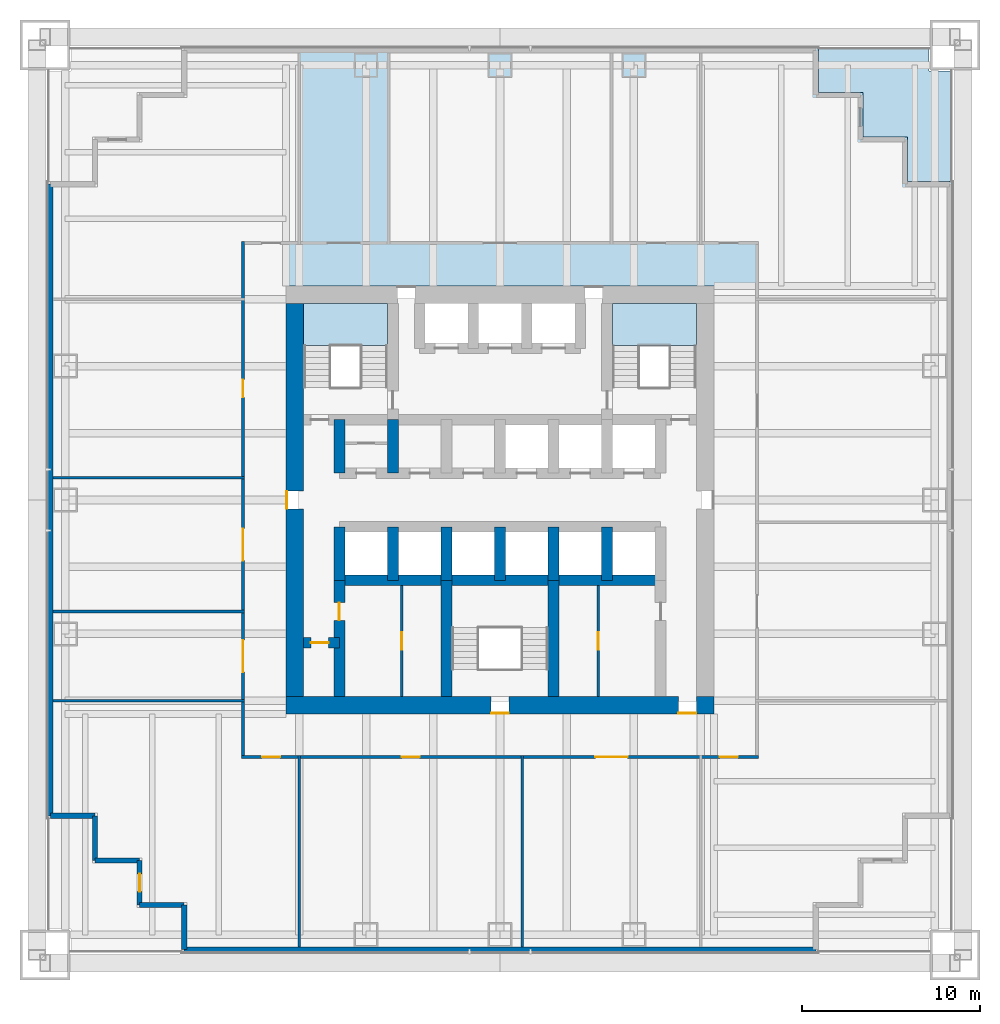
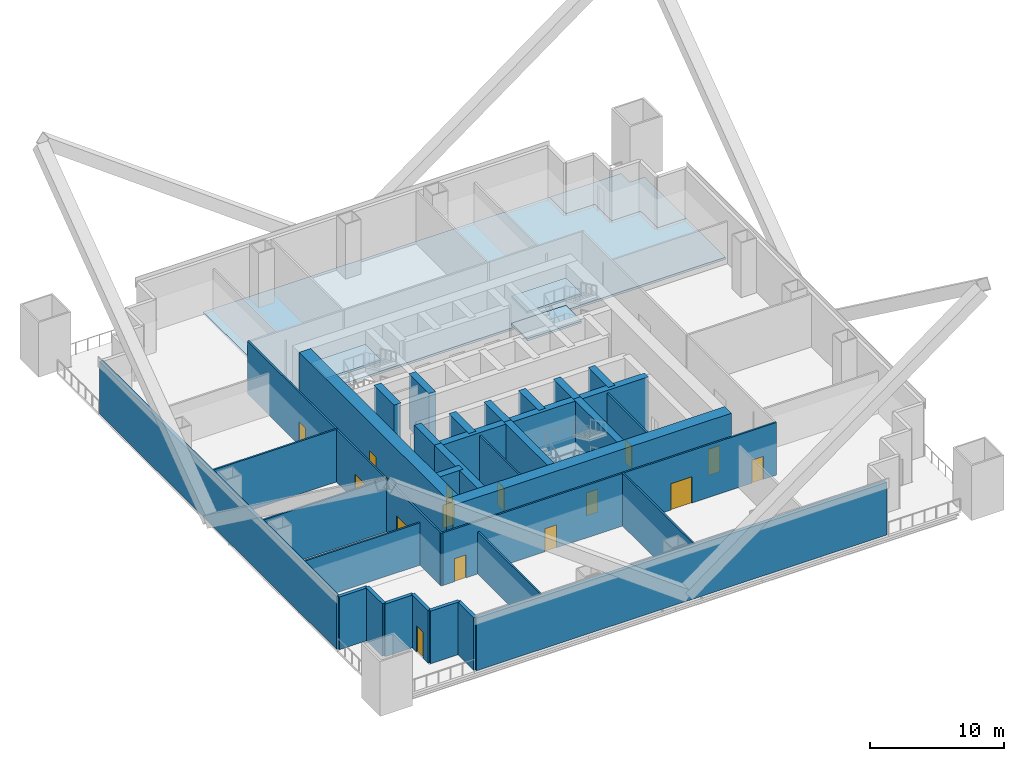
# One storey, part 2 of 7: 32 walls, 15 doors, 5 slabs, 15 openings, 2 elements without a shape of their own.
"""IFC4 building model written with IfcOpenShell, lengths in metres."""

from ifc_helpers import new_model, si_unit, direction, frame, frame_2d, origin, place, context, subcontext, project, spatial, polyline, rectangle, outline, extrude, material, layer, layer_set, type_object, element, fill, aggregate, save


model = new_model("IFC4")

# Units and contexts
model_context = context("Model", 3, precision=1e-05, world=origin(), true_north=direction((0.0, 1.0)))
body_context = subcontext(model_context, "Body", "Model", "MODEL_VIEW")
ifc_project = project(units=[si_unit("LENGTHUNIT", "METRE"), si_unit("AREAUNIT", "SQUARE_METRE"), si_unit("VOLUMEUNIT", "CUBIC_METRE"), si_unit("PLANEANGLEUNIT", "RADIAN"), si_unit("MASSUNIT", "GRAM", prefix="KILO")], contexts=[model_context])

# Site, building, storey
site_placement = place(None, origin())
site = spatial("IfcSite", under=ifc_project, at=site_placement, CompositionType="ELEMENT")
building_placement = place(site_placement, origin())
building = spatial("IfcBuilding", under=site, at=building_placement, Name="Tarangal Relay Tower", CompositionType="ELEMENT")
storey_placement = place(building_placement, frame((0.0, 0.0, 78.39990234375)))
storey = spatial("IfcBuildingStorey", under=building, at=storey_placement, Name="L15", CompositionType="ELEMENT", Elevation=78.39990234375)

# Slab
ifc_material_1 = material(Name="Concrete fc' 35 MPa", Category="concrete")
ifc_layer_1 = layer(ifc_material_1, 0.199951171875)
ifc_layer_set_1 = layer_set([ifc_layer_1], Name="Floor slab 200")
slab_type_1 = type_object("IfcSlabType", Name="Floor slab 200", PredefinedType="FLOOR", material=ifc_layer_set_1)
slab_1_placement = place(storey_placement, frame((0.0, 0.0, -0.199951171875)))
element("IfcSlab", 1, at=slab_1_placement, inside=storey, type_object=slab_type_1, Name="Floor slab FS2 L15 north bay", PredefinedType="FLOOR", context=body_context, shape_type="SweptSolid", body=[
    extrude(outline(polyline([(17.85009765625, 25.35009765625), (17.85009765625, 22.85009765625), (20.35009765625, 22.85009765625), (20.35009765625, 20.35009765625), (22.85009765625, 20.35009765625), (22.85009765625, 17.85009765625), (25.35009765625, 17.85009765625), (25.35009765625, 12.0), (-12.0, 12.0), (-12.0, 25.35009765625), (17.85009765625, 25.35009765625)])), origin(), (0.0, 0.0, 1.0), 0.199951171875),
])

# Stair, slab
ifc_material_2 = material(Name="Steel ASTM A992 stair flight", Category="steel")
stair_type = type_object("IfcStairType", Name="Core stair 1500", PredefinedType="HALF_TURN_STAIR", material=ifc_material_2)
stair_1_placement = place(storey_placement, origin())
stair_1 = element("IfcStair", 2, at=stair_1_placement, inside=storey, type_object=stair_type, Name="Stair ST-A L15", PredefinedType="HALF_TURN_STAIR")
ifc_layer_2 = layer(ifc_material_1, 0.199951171875)
ifc_layer_set_2 = layer_set([ifc_layer_2], Name="Stair landing 200")
slab_type_2 = type_object("IfcSlabType", Name="Stair landing 200", PredefinedType="LANDING", material=ifc_layer_set_2)
slab_2_placement = place(storey_placement, frame((0.0, 0.0, 3.550048828125)))
slab_2 = element("IfcSlab", 3, at=slab_2_placement, type_object=slab_type_2, Name="ST-A landing 4", PredefinedType="LANDING", context=body_context, shape_type="SweptSolid", body=[
    extrude(outline(polyline([(-11.0, 8.64501953125), (-6.300048828125, 8.64501953125), (-6.300048828125, 11.0), (-11.0, 11.0), (-11.0, 8.64501953125)])), origin(), (0.0, 0.0, 1.0), 0.199951171875),
])
aggregate(stair_1, [slab_2])

# Stair, slabs
stair_2_placement = place(storey_placement, origin())
stair_2 = element("IfcStair", 4, at=stair_2_placement, inside=storey, type_object=stair_type, Name="Stair ST-B L15", PredefinedType="HALF_TURN_STAIR")
slab_3_placement = place(storey_placement, frame((0.0, 0.0, 1.050048828125)))
slab_3 = element("IfcSlab", 5, at=slab_3_placement, type_object=slab_type_2, Name="ST-B landing 2", PredefinedType="LANDING", context=body_context, shape_type="SweptSolid", body=[
    extrude(outline(polyline([(6.300048828125, 8.64501953125), (11.0, 8.64501953125), (11.0, 11.0), (6.300048828125, 11.0), (6.300048828125, 8.64501953125)])), origin(), (0.0, 0.0, 1.0), 0.199951171875),
])
slab_4_placement = place(storey_placement, frame((0.0, 0.0, 3.550048828125)))
slab_4 = element("IfcSlab", 6, at=slab_4_placement, type_object=slab_type_2, Name="ST-B landing 4", PredefinedType="LANDING", context=body_context, shape_type="SweptSolid", body=[
    extrude(outline(polyline([(6.300048828125, 8.64501953125), (11.0, 8.64501953125), (11.0, 11.0), (6.300048828125, 11.0), (6.300048828125, 8.64501953125)])), origin(), (0.0, 0.0, 1.0), 0.199951171875),
])
aggregate(stair_2, [slab_3, slab_4])

# Slab
ifc_layer_3 = layer(ifc_material_1, 0.199951171875)
ifc_layer_set_3 = layer_set([ifc_layer_3], Name="Terrace slab 200")
slab_type_3 = type_object("IfcSlabType", Name="Terrace slab 200", PredefinedType="FLOOR", material=ifc_layer_set_3)
slab_5_placement = place(storey_placement, frame((0.0, 0.0, -0.199951171875)))
element("IfcSlab", 7, at=slab_5_placement, inside=storey, type_object=slab_type_3, Name="Corner terrace NE L15", PredefinedType="FLOOR", context=body_context, shape_type="SweptSolid", body=[
    extrude(outline(polyline([(17.85009765625, 25.35009765625), (17.85009765625, 22.85009765625), (20.35009765625, 22.85009765625), (20.35009765625, 20.35009765625), (22.85009765625, 20.35009765625), (22.85009765625, 17.85009765625), (25.35009765625, 17.85009765625), (25.35009765625, 24.050048828125), (24.050048828125, 24.050048828125), (24.050048828125, 25.35009765625), (17.85009765625, 25.35009765625)])), origin(), (0.0, 0.0, 1.0), 0.199951171875),
])

# Wall
ifc_material_3 = material(Name="Concrete fc' 60 MPa", Category="concrete")
ifc_layer_4 = layer(ifc_material_3, 0.60009765625)
ifc_layer_set_4 = layer_set([ifc_layer_4], Name="Core inner wall 600")
wall_type_1 = type_object("IfcWallType", Name="Core inner wall 600", PredefinedType="SHEAR", material=ifc_layer_set_4)
wall_1_placement = place(storey_placement, frame((-9.0, -4.5, 0.0), z_axis=(0.0, 0.0, 1.0), x_axis=(1.0, 0.0, 0.0)))
element("IfcWall", 8, at=wall_1_placement, inside=storey, type_object=wall_type_1, Name="Core wall YM45 L15", PredefinedType="SHEAR", context=body_context, shape_type="SweptSolid", body=[
    extrude(rectangle(XDim=18.0, YDim=0.60009765625, at=frame_2d((9.0, 0.0))), origin(), (0.0, 0.0, 1.0), 5.0),
])

# Wall, opening, door
wall_2_placement = place(storey_placement, frame((-11.0, -8.0, 0.0), z_axis=(0.0, 0.0, 1.0), x_axis=(1.0, 0.0, 0.0)))
wall_2 = element("IfcWall", 9, at=wall_2_placement, inside=storey, type_object=wall_type_1, Name="Core wall YM8 L15", PredefinedType="SHEAR", context=body_context, shape_type="SweptSolid", body=[
    extrude(rectangle(XDim=2.0, YDim=0.60009765625, at=frame_2d((1.0, 0.0))), origin(), (0.0, 0.0, 1.0), 5.0),
])
opening_1_placement = place(wall_2_placement, frame((0.39990234375, 0.0, 0.0)))
opening_1 = element("IfcOpeningElement", 10, at=opening_1_placement, cuts=wall_2, Name="Opening D1", PredefinedType="OPENING", context=body_context, shape_type="SweptSolid", body=[
    extrude(rectangle(XDim=1.0, YDim=2.10009765625, at=frame_2d((0.5, 1.050048828125))), frame((0.0, 0.31005859375, 0.0), z_axis=(0.0, -1.0, 0.0), x_axis=(1.0, 0.0, 0.0)), (0.0, 0.0, 1.0), 0.6201171875),
])
ifc_material_4 = material(Name="Hardwood door", Category="wood")
door_type_1 = type_object("IfcDoorType", Name="WC door 1000 x 2100", OperationType="SINGLE_SWING_LEFT", PredefinedType="DOOR", material=ifc_material_4)
door_1_placement = place(opening_1_placement, origin())
door_1 = element("IfcDoor", 11, at=door_1_placement, inside=storey, type_object=door_type_1, Name="Accessible WC door L15", OperationType="SINGLE_SWING_LEFT", OverallHeight=2.10009765625, OverallWidth=1.0, PredefinedType="DOOR", context=body_context, shape_type="SweptSolid", body=[
    extrude(rectangle(XDim=1.0, YDim=2.10009765625, at=frame_2d((0.5, 1.050048828125))), frame((0.0, 0.02490234375, 0.0), z_axis=(0.0, -1.0, 0.0), x_axis=(1.0, 0.0, 0.0)), (0.0, 0.0, 1.0), 0.050048828125),
])
fill(opening_1, door_1)

# Walls
for number, where, z_axis, x_axis, name in (
    (12, (-9.0, 1.5, 0.0), (0.0, 0.0, 1.0), (0.0, 1.0, 0.0), "Core wall XM9N L15"),
    (13, (-9.0, -4.5, 0.0), (0.0, 0.0, 1.0), (0.0, 1.0, 0.0), "Core wall XM9S L15"),
    (14, (-6.0, 1.5, 0.0), (0.0, 0.0, 1.0), (0.0, 1.0, 0.0), "Core wall XM6N L15"),
    (15, (-6.0, -4.5, 0.0), (0.0, 0.0, 1.0), (0.0, 1.0, 0.0), "Core wall XM6S L15"),
    (16, (-3.0, -4.5, 0.0), (0.0, 0.0, 1.0), (0.0, 1.0, 0.0), "Core wall XM3S L15"),
    (17, (0.0, -4.5, 0.0), (0.0, 0.0, 1.0), (0.0, 1.0, 0.0), "Core wall X0S L15"),
    (18, (3.0, -4.5, 0.0), (0.0, 0.0, 1.0), (0.0, 1.0, 0.0), "Core wall X3S L15"),
    (19, (6.0, -4.5, 0.0), (0.0, 0.0, 1.0), (0.0, 1.0, 0.0), "Core wall X6S L15"),
):
    element("IfcWall", number, at=place(storey_placement, frame(where, z_axis=z_axis, x_axis=x_axis)), inside=storey, type_object=wall_type_1, Name=name, PredefinedType="SHEAR", context=body_context, shape_type="SweptSolid", body=[
        extrude(rectangle(XDim=3.0, YDim=0.60009765625, at=frame_2d((1.5, 0.0))), origin(), (0.0, 0.0, 1.0), 5.0),
    ])

# Wall, opening, door
wall_3_placement = place(storey_placement, frame((-9.0, -11.0, 0.0), z_axis=(0.0, 0.0, 1.0), x_axis=(0.0, 1.0, 0.0)))
wall_3 = element("IfcWall", 20, at=wall_3_placement, inside=storey, type_object=wall_type_1, Name="Core wall XM9W L15", PredefinedType="SHEAR", context=body_context, shape_type="SweptSolid", body=[
    extrude(rectangle(XDim=6.5, YDim=0.60009765625, at=frame_2d((3.25, 0.0))), origin(), (0.0, 0.0, 1.0), 5.0),
])
opening_2_placement = place(wall_3_placement, frame((4.25, 0.0, 0.0)))
opening_2 = element("IfcOpeningElement", 21, at=opening_2_placement, cuts=wall_3, Name="Opening D1", PredefinedType="OPENING", context=body_context, shape_type="SweptSolid", body=[
    extrude(rectangle(XDim=1.0, YDim=2.10009765625, at=frame_2d((0.5, 1.050048828125))), frame((0.0, 0.31005859375, 0.0), z_axis=(0.0, -1.0, 0.0), x_axis=(1.0, 0.0, 0.0)), (0.0, 0.0, 1.0), 0.6201171875),
])
door_2_placement = place(opening_2_placement, origin())
door_2 = element("IfcDoor", 22, at=door_2_placement, inside=storey, type_object=door_type_1, Name="Male WC door L15", OperationType="SINGLE_SWING_LEFT", OverallHeight=2.10009765625, OverallWidth=1.0, PredefinedType="DOOR", context=body_context, shape_type="SweptSolid", body=[
    extrude(rectangle(XDim=1.0, YDim=2.10009765625, at=frame_2d((0.5, 1.050048828125))), frame((0.0, 0.02490234375, 0.0), z_axis=(0.0, -1.0, 0.0), x_axis=(1.0, 0.0, 0.0)), (0.0, 0.0, 1.0), 0.050048828125),
])
fill(opening_2, door_2)

# Walls
for number, where, z_axis, x_axis, name in (
    (23, (-3.0, -11.0, 0.0), (0.0, 0.0, 1.0), (0.0, 1.0, 0.0), "Core wall XM3W L15"),
    (24, (3.0, -11.0, 0.0), (0.0, 0.0, 1.0), (0.0, 1.0, 0.0), "Core wall X3W L15"),
):
    element("IfcWall", number, at=place(storey_placement, frame(where, z_axis=z_axis, x_axis=x_axis)), inside=storey, type_object=wall_type_1, Name=name, PredefinedType="SHEAR", context=body_context, shape_type="SweptSolid", body=[
        extrude(rectangle(XDim=6.5, YDim=0.60009765625, at=frame_2d((3.25, 0.0))), origin(), (0.0, 0.0, 1.0), 5.0),
    ])

# Wall, openings, doors
ifc_layer_5 = layer(ifc_material_3, 1.0)
ifc_layer_set_5 = layer_set([ifc_layer_5], Name="Core wall 1000")
wall_type_2 = type_object("IfcWallType", Name="Core wall 1000", PredefinedType="SHEAR", material=ifc_layer_set_5)
wall_4_placement = place(storey_placement, frame((12.0, -11.5, 0.0), z_axis=(0.0, 0.0, 1.0), x_axis=(-1.0, 0.0, 0.0)))
wall_4 = element("IfcWall", 25, at=wall_4_placement, inside=storey, type_object=wall_type_2, Name="Core wall S L15", PredefinedType="SHEAR", context=body_context, shape_type="SweptSolid", body=[
    extrude(rectangle(XDim=24.0, YDim=1.0, at=frame_2d((12.0, 0.0))), origin(), (0.0, 0.0, 1.0), 5.0),
])
opening_3_placement = place(wall_4_placement, frame((11.5, 0.0, 0.0)))
opening_3 = element("IfcOpeningElement", 26, at=opening_3_placement, cuts=wall_4, Name="Opening FD1", PredefinedType="OPENING", context=body_context, shape_type="SweptSolid", body=[
    extrude(rectangle(XDim=1.0, YDim=2.10009765625, at=frame_2d((0.5, 1.050048828125))), frame((0.0, 0.510009765625, 0.0), z_axis=(0.0, -1.0, 0.0), x_axis=(1.0, 0.0, 0.0)), (0.0, 0.0, 1.0), 1.02001953125),
])
opening_4_placement = place(wall_4_placement, frame((1.0, 0.0, 0.0)))
opening_4 = element("IfcOpeningElement", 27, at=opening_4_placement, cuts=wall_4, Name="Opening FD3", PredefinedType="OPENING", context=body_context, shape_type="SweptSolid", body=[
    extrude(rectangle(XDim=1.0, YDim=2.39990234375, at=frame_2d((0.5, 1.199951171875))), frame((0.0, 0.510009765625, 0.0), z_axis=(0.0, -1.0, 0.0), x_axis=(1.0, 0.0, 0.0)), (0.0, 0.0, 1.0), 1.02001953125),
])
ifc_material_5 = material(Name="Steel door with hardwood frame", Category="steel")
door_type_2 = type_object("IfcDoorType", Name="Fire door 1000 x 2100", OperationType="SINGLE_SWING_LEFT", PredefinedType="DOOR", material=ifc_material_5)
door_3_placement = place(opening_3_placement, origin())
door_3 = element("IfcDoor", 28, at=door_3_placement, inside=storey, type_object=door_type_2, Name="Stair ST-C door L15", OperationType="SINGLE_SWING_LEFT", OverallHeight=2.10009765625, OverallWidth=1.0, PredefinedType="DOOR", context=body_context, shape_type="SweptSolid", body=[
    extrude(rectangle(XDim=1.0, YDim=2.10009765625, at=frame_2d((0.5, 1.050048828125))), frame((0.0, 0.48486328125, 0.0), z_axis=(0.0, -1.0, 0.0), x_axis=(1.0, 0.0, 0.0)), (0.0, 0.0, 1.0), 0.050048828125),
])
fill(opening_3, door_3)
door_type_3 = type_object("IfcDoorType", Name="Fire door 1000 x 2400 core entry", OperationType="SINGLE_SWING_RIGHT", PredefinedType="DOOR", material=ifc_material_5)
door_4_placement = place(opening_4_placement, origin())
door_4 = element("IfcDoor", 29, at=door_4_placement, inside=storey, type_object=door_type_3, Name="Core entry door south east L15", OperationType="SINGLE_SWING_RIGHT", OverallHeight=2.39990234375, OverallWidth=1.0, PredefinedType="DOOR", context=body_context, shape_type="SweptSolid", body=[
    extrude(rectangle(XDim=1.0, YDim=2.39990234375, at=frame_2d((0.5, 1.199951171875))), frame((0.0, 0.48486328125, 0.0), z_axis=(0.0, -1.0, 0.0), x_axis=(1.0, 0.0, 0.0)), (0.0, 0.0, 1.0), 0.050048828125),
])
fill(opening_4, door_4)

# Wall, opening, door
wall_5_placement = place(storey_placement, frame((-11.5, -11.0, 0.0), z_axis=(0.0, 0.0, 1.0), x_axis=(0.0, 1.0, 0.0)))
wall_5 = element("IfcWall", 30, at=wall_5_placement, inside=storey, type_object=wall_type_2, Name="Core wall W L15", PredefinedType="SHEAR", context=body_context, shape_type="SweptSolid", body=[
    extrude(rectangle(XDim=22.0, YDim=1.0, at=frame_2d((11.0, 0.0))), origin(), (0.0, 0.0, 1.0), 5.0),
])
opening_5_placement = place(wall_5_placement, frame((10.5, 0.0, 0.0)))
opening_5 = element("IfcOpeningElement", 31, at=opening_5_placement, cuts=wall_5, Name="Opening FD3", PredefinedType="OPENING", context=body_context, shape_type="SweptSolid", body=[
    extrude(rectangle(XDim=1.0, YDim=2.39990234375, at=frame_2d((0.5, 1.199951171875))), frame((0.0, 0.510009765625, 0.0), z_axis=(0.0, -1.0, 0.0), x_axis=(1.0, 0.0, 0.0)), (0.0, 0.0, 1.0), 1.02001953125),
])
door_5_placement = place(opening_5_placement, origin())
door_5 = element("IfcDoor", 32, at=door_5_placement, inside=storey, type_object=door_type_3, Name="Core entry door west L15", OperationType="SINGLE_SWING_RIGHT", OverallHeight=2.39990234375, OverallWidth=1.0, PredefinedType="DOOR", context=body_context, shape_type="SweptSolid", body=[
    extrude(rectangle(XDim=1.0, YDim=2.39990234375, at=frame_2d((0.5, 1.199951171875))), frame((0.0, 0.48486328125, 0.0), z_axis=(0.0, -1.0, 0.0), x_axis=(1.0, 0.0, 0.0)), (0.0, 0.0, 1.0), 0.050048828125),
])
fill(opening_5, door_5)

# Walls
ifc_material_6 = material(Name="Insulated precast concrete fc' 40 MPa", Category="concrete")
ifc_layer_6 = layer(ifc_material_6, 0.300048828125)
ifc_layer_set_6 = layer_set([ifc_layer_6], Name="Insulated precast concrete fc' 40 MPa")
wall_type_3 = type_object("IfcWallType", Name="Facade wall precast 300", PredefinedType="SOLIDWALL", material=ifc_layer_set_6)
wall_6_placement = place(storey_placement, frame((17.699951171875, -25.199951171875, 0.0), z_axis=(0.0, 0.0, 1.0), x_axis=(-1.0, 0.0, 0.0)))
element("IfcWall", 33, at=wall_6_placement, inside=storey, type_object=wall_type_3, Name="Facade wall S facade L15", PredefinedType="SOLIDWALL", context=body_context, shape_type="SweptSolid", body=[
    extrude(rectangle(XDim=35.39990234375, YDim=0.300048828125, at=frame_2d((17.699951171875, 0.0))), origin(), (0.0, 0.0, 1.0), 4.800048828125),
])
for number, where, z_axis, x_axis, name in (
    (34, (-17.699951171875, -25.199951171875, 0.0), (0.0, 0.0, 1.0), (0.0, 1.0, 0.0), "Facade wall S facade L15"),
    (35, (-17.699951171875, -22.699951171875, 0.0), (0.0, 0.0, 1.0), (-1.0, 0.0, 0.0), "Facade wall S facade L15"),
):
    element("IfcWall", number, at=place(storey_placement, frame(where, z_axis=z_axis, x_axis=x_axis)), inside=storey, type_object=wall_type_3, Name=name, PredefinedType="SOLIDWALL", context=body_context, shape_type="SweptSolid", body=[
        extrude(rectangle(XDim=2.5, YDim=0.300048828125, at=frame_2d((1.25, 0.0))), origin(), (0.0, 0.0, 1.0), 4.800048828125),
    ])

# Wall, opening, door
wall_7_placement = place(storey_placement, frame((-20.199951171875, -22.699951171875, 0.0), z_axis=(0.0, 0.0, 1.0), x_axis=(0.0, 1.0, 0.0)))
wall_7 = element("IfcWall", 36, at=wall_7_placement, inside=storey, type_object=wall_type_3, Name="Facade wall S facade L15", PredefinedType="SOLIDWALL", context=body_context, shape_type="SweptSolid", body=[
    extrude(rectangle(XDim=2.5, YDim=0.300048828125, at=frame_2d((1.25, 0.0))), origin(), (0.0, 0.0, 1.0), 4.800048828125),
])
opening_6_placement = place(wall_7_placement, frame((0.75, 0.0, 0.0)))
opening_6 = element("IfcOpeningElement", 37, at=opening_6_placement, cuts=wall_7, Name="Opening TD1", PredefinedType="OPENING", context=body_context, shape_type="SweptSolid", body=[
    extrude(rectangle(XDim=1.0, YDim=2.39990234375, at=frame_2d((0.5, 1.199951171875))), frame((0.0, 0.159912109375, 0.0), z_axis=(0.0, -1.0, 0.0), x_axis=(1.0, 0.0, 0.0)), (0.0, 0.0, 1.0), 0.320068359375),
])
ifc_material_7 = material(Name="Aluminium glazed door", Category="aluminium")
door_type_4 = type_object("IfcDoorType", Name="Terrace door 1000 x 2400", OperationType="SINGLE_SWING_RIGHT", PredefinedType="DOOR", material=ifc_material_7)
door_6_placement = place(opening_6_placement, origin())
door_6 = element("IfcDoor", 38, at=door_6_placement, inside=storey, type_object=door_type_4, Name="Terrace door TD1 SW L15", OperationType="SINGLE_SWING_RIGHT", OverallHeight=2.39990234375, OverallWidth=1.0, PredefinedType="DOOR", context=body_context, shape_type="SweptSolid", body=[
    extrude(rectangle(XDim=1.0, YDim=2.39990234375, at=frame_2d((0.5, 1.199951171875))), frame((0.0, 0.02490234375, 0.0), z_axis=(0.0, -1.0, 0.0), x_axis=(1.0, 0.0, 0.0)), (0.0, 0.0, 1.0), 0.050048828125),
])
fill(opening_6, door_6)

# Walls
for number, where, z_axis, x_axis, name in (
    (39, (-20.199951171875, -20.199951171875, 0.0), (0.0, 0.0, 1.0), (-1.0, 0.0, 0.0), "Facade wall S facade L15"),
    (40, (-22.699951171875, -20.199951171875, 0.0), (0.0, 0.0, 1.0), (0.0, 1.0, 0.0), "Facade wall S facade L15"),
    (41, (-22.699951171875, -17.699951171875, 0.0), (0.0, 0.0, 1.0), (-1.0, 0.0, 0.0), "Facade wall S facade L15"),
):
    element("IfcWall", number, at=place(storey_placement, frame(where, z_axis=z_axis, x_axis=x_axis)), inside=storey, type_object=wall_type_3, Name=name, PredefinedType="SOLIDWALL", context=body_context, shape_type="SweptSolid", body=[
        extrude(rectangle(XDim=2.5, YDim=0.300048828125, at=frame_2d((1.25, 0.0))), origin(), (0.0, 0.0, 1.0), 4.800048828125),
    ])
wall_8_placement = place(storey_placement, frame((-25.199951171875, -17.699951171875, 0.0), z_axis=(0.0, 0.0, 1.0), x_axis=(0.0, 1.0, 0.0)))
element("IfcWall", 42, at=wall_8_placement, inside=storey, type_object=wall_type_3, Name="Facade wall W facade L15", PredefinedType="SOLIDWALL", context=body_context, shape_type="SweptSolid", body=[
    extrude(rectangle(XDim=35.39990234375, YDim=0.300048828125, at=frame_2d((17.699951171875, 0.0))), origin(), (0.0, 0.0, 1.0), 4.800048828125),
])

# Wall, openings, doors
ifc_material_8 = material(Name="Gypsum board on steel studs", Category="steel")
ifc_layer_7 = layer(ifc_material_8, 0.14990234375)
ifc_layer_set_7 = layer_set([ifc_layer_7], Name="Partition 150")
wall_type_4 = type_object("IfcWallType", Name="Partition 150", PredefinedType="PARTITIONING", material=ifc_layer_set_7)
wall_9_placement = place(storey_placement, frame((-14.47509765625, -14.39990234375, 0.0), z_axis=(0.0, 0.0, 1.0), x_axis=(1.0, 0.0, 0.0)))
wall_9 = element("IfcWall", 43, at=wall_9_placement, inside=storey, type_object=wall_type_4, Name="Partition PT1 L15", PredefinedType="PARTITIONING", context=body_context, shape_type="SweptSolid", body=[
    extrude(rectangle(XDim=28.9501953125, YDim=0.14990234375, at=frame_2d((14.47509765625, 0.0))), origin(), (0.0, 0.0, 1.0), 4.800048828125),
])
opening_7_placement = place(wall_9_placement, frame((19.824951171875, 0.0, 0.0)))
opening_7 = element("IfcOpeningElement", 44, at=opening_7_placement, cuts=wall_9, Name="Opening DD1", PredefinedType="OPENING", context=body_context, shape_type="SweptSolid", body=[
    extrude(rectangle(XDim=1.800048828125, YDim=2.39990234375, at=frame_2d((0.89990234375, 1.199951171875))), frame((0.0, 0.0849609375, 0.0), z_axis=(0.0, -1.0, 0.0), x_axis=(1.0, 0.0, 0.0)), (0.0, 0.0, 1.0), 0.169921875),
])
opening_8_placement = place(wall_9_placement, frame((8.97509765625, 0.0, 0.0)))
opening_8 = element("IfcOpeningElement", 45, at=opening_8_placement, cuts=wall_9, Name="Opening D2", PredefinedType="OPENING", context=body_context, shape_type="SweptSolid", body=[
    extrude(rectangle(XDim=1.0, YDim=2.10009765625, at=frame_2d((0.5, 1.050048828125))), frame((0.0, 0.0849609375, 0.0), z_axis=(0.0, -1.0, 0.0), x_axis=(1.0, 0.0, 0.0)), (0.0, 0.0, 1.0), 0.169921875),
])
opening_9_placement = place(wall_9_placement, frame((26.800048828125, 0.0, 0.0)))
opening_9 = element("IfcOpeningElement", 46, at=opening_9_placement, cuts=wall_9, Name="Opening D2", PredefinedType="OPENING", context=body_context, shape_type="SweptSolid", body=[
    extrude(rectangle(XDim=1.0, YDim=2.10009765625, at=frame_2d((0.5, 1.050048828125))), frame((0.0, 0.0849609375, 0.0), z_axis=(0.0, -1.0, 0.0), x_axis=(1.0, 0.0, 0.0)), (0.0, 0.0, 1.0), 0.169921875),
])
opening_10_placement = place(wall_9_placement, frame((1.14990234375, 0.0, 0.0)))
opening_10 = element("IfcOpeningElement", 47, at=opening_10_placement, cuts=wall_9, Name="Opening D2", PredefinedType="OPENING", context=body_context, shape_type="SweptSolid", body=[
    extrude(rectangle(XDim=1.0, YDim=2.10009765625, at=frame_2d((0.5, 1.050048828125))), frame((0.0, 0.0849609375, 0.0), z_axis=(0.0, -1.0, 0.0), x_axis=(1.0, 0.0, 0.0)), (0.0, 0.0, 1.0), 0.169921875),
])
door_type_5 = type_object("IfcDoorType", Name="Door 1000 x 2100", OperationType="SINGLE_SWING_LEFT", PredefinedType="DOOR", material=ifc_material_4)
door_7_placement = place(opening_8_placement, origin())
door_7 = element("IfcDoor", 48, at=door_7_placement, inside=storey, type_object=door_type_5, Name="Door D2 to customer office L15-08", OperationType="SINGLE_SWING_LEFT", OverallHeight=2.10009765625, OverallWidth=1.0, PredefinedType="DOOR", context=body_context, shape_type="SweptSolid", body=[
    extrude(rectangle(XDim=1.0, YDim=2.10009765625, at=frame_2d((0.5, 1.050048828125))), frame((0.0, 0.02490234375, 0.0), z_axis=(0.0, -1.0, 0.0), x_axis=(1.0, 0.0, 0.0)), (0.0, 0.0, 1.0), 0.050048828125),
])
fill(opening_8, door_7)
door_8_placement = place(opening_9_placement, origin())
door_8 = element("IfcDoor", 49, at=door_8_placement, inside=storey, type_object=door_type_5, Name="Door D2 to maintenance workshop L15-13", OperationType="SINGLE_SWING_LEFT", OverallHeight=2.10009765625, OverallWidth=1.0, PredefinedType="DOOR", context=body_context, shape_type="SweptSolid", body=[
    extrude(rectangle(XDim=1.0, YDim=2.10009765625, at=frame_2d((0.5, 1.050048828125))), frame((0.0, 0.02490234375, 0.0), z_axis=(0.0, -1.0, 0.0), x_axis=(1.0, 0.0, 0.0)), (0.0, 0.0, 1.0), 0.050048828125),
])
fill(opening_9, door_8)
door_9_placement = place(opening_10_placement, origin())
door_9 = element("IfcDoor", 50, at=door_9_placement, inside=storey, type_object=door_type_5, Name="Door D2 to rack staging room L15-14", OperationType="SINGLE_SWING_LEFT", OverallHeight=2.10009765625, OverallWidth=1.0, PredefinedType="DOOR", context=body_context, shape_type="SweptSolid", body=[
    extrude(rectangle(XDim=1.0, YDim=2.10009765625, at=frame_2d((0.5, 1.050048828125))), frame((0.0, 0.02490234375, 0.0), z_axis=(0.0, -1.0, 0.0), x_axis=(1.0, 0.0, 0.0)), (0.0, 0.0, 1.0), 0.050048828125),
])
fill(opening_10, door_9)
door_type_6 = type_object("IfcDoorType", Name="Equipment double door 1800 x 2400", OperationType="DOUBLE_DOOR_SINGLE_SWING", PredefinedType="DOOR", material=ifc_material_5)
door_10_placement = place(opening_7_placement, origin())
door_10 = element("IfcDoor", 51, at=door_10_placement, inside=storey, type_object=door_type_6, Name="Door DD1 to electrical room L15-07", OperationType="DOUBLE_DOOR_SINGLE_SWING", OverallHeight=2.39990234375, OverallWidth=1.800048828125, PredefinedType="DOOR", context=body_context, shape_type="SweptSolid", body=[
    extrude(rectangle(XDim=1.800048828125, YDim=2.39990234375, at=frame_2d((0.89990234375, 1.199951171875))), frame((0.0, 0.02490234375, 0.0), z_axis=(0.0, -1.0, 0.0), x_axis=(1.0, 0.0, 0.0)), (0.0, 0.0, 1.0), 0.050048828125),
])
fill(opening_7, door_10)

# Walls
wall_10_placement = place(storey_placement, frame((-25.050048828125, -11.25, 0.0), z_axis=(0.0, 0.0, 1.0), x_axis=(1.0, 0.0, 0.0)))
element("IfcWall", 52, at=wall_10_placement, inside=storey, type_object=wall_type_4, Name="Partition PT1 L15", PredefinedType="PARTITIONING", context=body_context, shape_type="SweptSolid", body=[
    extrude(rectangle(XDim=10.72509765625, YDim=0.14990234375, at=frame_2d((5.362548828125, 0.0))), origin(), (0.0, 0.0, 1.0), 3.852783203125),
])
for number, where, z_axis, x_axis, name in (
    (53, (-25.050048828125, -6.25, 0.0), (0.0, 0.0, 1.0), (1.0, 0.0, 0.0), "Partition PT1 L15"),
    (54, (-25.050048828125, 1.25, 0.0), (0.0, 0.0, 1.0), (1.0, 0.0, 0.0), "Partition PT1 L15"),
):
    element("IfcWall", number, at=place(storey_placement, frame(where, z_axis=z_axis, x_axis=x_axis)), inside=storey, type_object=wall_type_4, Name=name, PredefinedType="PARTITIONING", context=body_context, shape_type="SweptSolid", body=[
        extrude(rectangle(XDim=10.72509765625, YDim=0.14990234375, at=frame_2d((5.362548828125, 0.0))), origin(), (0.0, 0.0, 1.0), 4.800048828125),
    ])

# Wall, openings, doors
wall_11_placement = place(storey_placement, frame((-14.39990234375, -14.47509765625, 0.0), z_axis=(0.0, 0.0, 1.0), x_axis=(0.0, 1.0, 0.0)))
wall_11 = element("IfcWall", 55, at=wall_11_placement, inside=storey, type_object=wall_type_4, Name="Partition PT1 L15", PredefinedType="PARTITIONING", context=body_context, shape_type="SweptSolid", body=[
    extrude(rectangle(XDim=28.9501953125, YDim=0.14990234375, at=frame_2d((14.47509765625, 0.0))), origin(), (0.0, 0.0, 1.0), 4.800048828125),
])
opening_11_placement = place(wall_11_placement, frame((4.824951171875, 0.0, 0.0)))
opening_11 = element("IfcOpeningElement", 56, at=opening_11_placement, cuts=wall_11, Name="Opening DD1", PredefinedType="OPENING", context=body_context, shape_type="SweptSolid", body=[
    extrude(rectangle(XDim=1.800048828125, YDim=2.39990234375, at=frame_2d((0.89990234375, 1.199951171875))), frame((0.0, 0.0849609375, 0.0), z_axis=(0.0, -1.0, 0.0), x_axis=(1.0, 0.0, 0.0)), (0.0, 0.0, 1.0), 0.169921875),
])
opening_12_placement = place(wall_11_placement, frame((11.074951171875, 0.0, 0.0)))
opening_12 = element("IfcOpeningElement", 57, at=opening_12_placement, cuts=wall_11, Name="Opening DD1", PredefinedType="OPENING", context=body_context, shape_type="SweptSolid", body=[
    extrude(rectangle(XDim=1.800048828125, YDim=2.39990234375, at=frame_2d((0.89990234375, 1.199951171875))), frame((0.0, 0.0849609375, 0.0), z_axis=(0.0, -1.0, 0.0), x_axis=(1.0, 0.0, 0.0)), (0.0, 0.0, 1.0), 0.169921875),
])
opening_13_placement = place(wall_11_placement, frame((20.22509765625, 0.0, 0.0)))
opening_13 = element("IfcOpeningElement", 58, at=opening_13_placement, cuts=wall_11, Name="Opening D2", PredefinedType="OPENING", context=body_context, shape_type="SweptSolid", body=[
    extrude(rectangle(XDim=1.0, YDim=2.10009765625, at=frame_2d((0.5, 1.050048828125))), frame((0.0, 0.0849609375, 0.0), z_axis=(0.0, -1.0, 0.0), x_axis=(1.0, 0.0, 0.0)), (0.0, 0.0, 1.0), 0.169921875),
])
door_11_placement = place(opening_13_placement, origin())
door_11 = element("IfcDoor", 59, at=door_11_placement, inside=storey, type_object=door_type_5, Name="Door D2 to engineering office L15-11", OperationType="SINGLE_SWING_LEFT", OverallHeight=2.10009765625, OverallWidth=1.0, PredefinedType="DOOR", context=body_context, shape_type="SweptSolid", body=[
    extrude(rectangle(XDim=1.0, YDim=2.10009765625, at=frame_2d((0.5, 1.050048828125))), frame((0.0, 0.02490234375, 0.0), z_axis=(0.0, -1.0, 0.0), x_axis=(1.0, 0.0, 0.0)), (0.0, 0.0, 1.0), 0.050048828125),
])
fill(opening_13, door_11)
door_12_placement = place(opening_11_placement, origin())
door_12 = element("IfcDoor", 60, at=door_12_placement, inside=storey, type_object=door_type_6, Name="Door DD1 to gas suppression cylinder room L15-09", OperationType="DOUBLE_DOOR_SINGLE_SWING", OverallHeight=2.39990234375, OverallWidth=1.800048828125, PredefinedType="DOOR", context=body_context, shape_type="SweptSolid", body=[
    extrude(rectangle(XDim=1.800048828125, YDim=2.39990234375, at=frame_2d((0.89990234375, 1.199951171875))), frame((0.0, 0.02490234375, 0.0), z_axis=(0.0, -1.0, 0.0), x_axis=(1.0, 0.0, 0.0)), (0.0, 0.0, 1.0), 0.050048828125),
])
fill(opening_11, door_12)
door_13_placement = place(opening_12_placement, origin())
door_13 = element("IfcDoor", 61, at=door_13_placement, inside=storey, type_object=door_type_6, Name="Door DD1 to carrier entrance room L15-10", OperationType="DOUBLE_DOOR_SINGLE_SWING", OverallHeight=2.39990234375, OverallWidth=1.800048828125, PredefinedType="DOOR", context=body_context, shape_type="SweptSolid", body=[
    extrude(rectangle(XDim=1.800048828125, YDim=2.39990234375, at=frame_2d((0.89990234375, 1.199951171875))), frame((0.0, 0.02490234375, 0.0), z_axis=(0.0, -1.0, 0.0), x_axis=(1.0, 0.0, 0.0)), (0.0, 0.0, 1.0), 0.050048828125),
])
fill(opening_12, door_13)

# Walls
wall_12_placement = place(storey_placement, frame((-11.25, -25.050048828125, 0.0), z_axis=(0.0, 0.0, 1.0), x_axis=(0.0, 1.0, 0.0)))
element("IfcWall", 62, at=wall_12_placement, inside=storey, type_object=wall_type_4, Name="Partition PT1 L15", PredefinedType="PARTITIONING", context=body_context, shape_type="SweptSolid", body=[
    extrude(rectangle(XDim=10.72509765625, YDim=0.14990234375, at=frame_2d((5.362548828125, 0.0))), origin(), (0.0, 0.0, 1.0), 3.852783203125),
])
wall_13_placement = place(storey_placement, frame((1.25, -25.050048828125, 0.0), z_axis=(0.0, 0.0, 1.0), x_axis=(0.0, 1.0, 0.0)))
element("IfcWall", 63, at=wall_13_placement, inside=storey, type_object=wall_type_4, Name="Partition PT1 L15", PredefinedType="PARTITIONING", context=body_context, shape_type="SweptSolid", body=[
    extrude(rectangle(XDim=10.72509765625, YDim=0.14990234375, at=frame_2d((5.362548828125, 0.0))), origin(), (0.0, 0.0, 1.0), 4.800048828125),
])

# Wall, opening, door
wall_14_placement = place(storey_placement, frame((-5.5, -11.0, 0.0), z_axis=(0.0, 0.0, 1.0), x_axis=(0.0, 1.0, 0.0)))
wall_14 = element("IfcWall", 64, at=wall_14_placement, inside=storey, type_object=wall_type_4, Name="Partition PT1 L15", PredefinedType="PARTITIONING", context=body_context, shape_type="SweptSolid", body=[
    extrude(rectangle(XDim=6.199951171875, YDim=0.14990234375, at=frame_2d((3.10009765625, 0.0))), origin(), (0.0, 0.0, 1.0), 4.75),
])
opening_14_placement = place(wall_14_placement, frame((2.60009765625, 0.0, 0.0)))
opening_14 = element("IfcOpeningElement", 65, at=opening_14_placement, cuts=wall_14, Name="Opening D1", PredefinedType="OPENING", context=body_context, shape_type="SweptSolid", body=[
    extrude(rectangle(XDim=1.0, YDim=2.10009765625, at=frame_2d((0.5, 1.050048828125))), frame((0.0, 0.0849609375, 0.0), z_axis=(0.0, -1.0, 0.0), x_axis=(1.0, 0.0, 0.0)), (0.0, 0.0, 1.0), 0.169921875),
])
door_14_placement = place(opening_14_placement, origin())
door_14 = element("IfcDoor", 66, at=door_14_placement, inside=storey, type_object=door_type_1, Name="Door D1 to male shower and changing room L15-C7B", OperationType="SINGLE_SWING_LEFT", OverallHeight=2.10009765625, OverallWidth=1.0, PredefinedType="DOOR", context=body_context, shape_type="SweptSolid", body=[
    extrude(rectangle(XDim=1.0, YDim=2.10009765625, at=frame_2d((0.5, 1.050048828125))), frame((0.0, 0.02490234375, 0.0), z_axis=(0.0, -1.0, 0.0), x_axis=(1.0, 0.0, 0.0)), (0.0, 0.0, 1.0), 0.050048828125),
])
fill(opening_14, door_14)

wall_15_placement = place(storey_placement, frame((5.5, -11.0, 0.0), z_axis=(0.0, 0.0, 1.0), x_axis=(0.0, 1.0, 0.0)))
wall_15 = element("IfcWall", 67, at=wall_15_placement, inside=storey, type_object=wall_type_4, Name="Partition PT1 L15", PredefinedType="PARTITIONING", context=body_context, shape_type="SweptSolid", body=[
    extrude(rectangle(XDim=6.199951171875, YDim=0.14990234375, at=frame_2d((3.10009765625, 0.0))), origin(), (0.0, 0.0, 1.0), 4.75),
])
opening_15_placement = place(wall_15_placement, frame((2.60009765625, 0.0, 0.0)))
opening_15 = element("IfcOpeningElement", 68, at=opening_15_placement, cuts=wall_15, Name="Opening D1", PredefinedType="OPENING", context=body_context, shape_type="SweptSolid", body=[
    extrude(rectangle(XDim=1.0, YDim=2.10009765625, at=frame_2d((0.5, 1.050048828125))), frame((0.0, 0.0849609375, 0.0), z_axis=(0.0, -1.0, 0.0), x_axis=(1.0, 0.0, 0.0)), (0.0, 0.0, 1.0), 0.169921875),
])
door_15_placement = place(opening_15_placement, origin())
door_15 = element("IfcDoor", 69, at=door_15_placement, inside=storey, type_object=door_type_1, Name="Door D1 to female shower and changing room L15-C10B", OperationType="SINGLE_SWING_LEFT", OverallHeight=2.10009765625, OverallWidth=1.0, PredefinedType="DOOR", context=body_context, shape_type="SweptSolid", body=[
    extrude(rectangle(XDim=1.0, YDim=2.10009765625, at=frame_2d((0.5, 1.050048828125))), frame((0.0, 0.02490234375, 0.0), z_axis=(0.0, -1.0, 0.0), x_axis=(1.0, 0.0, 0.0)), (0.0, 0.0, 1.0), 0.050048828125),
])
fill(opening_15, door_15)

save(model, "model.ifc")
